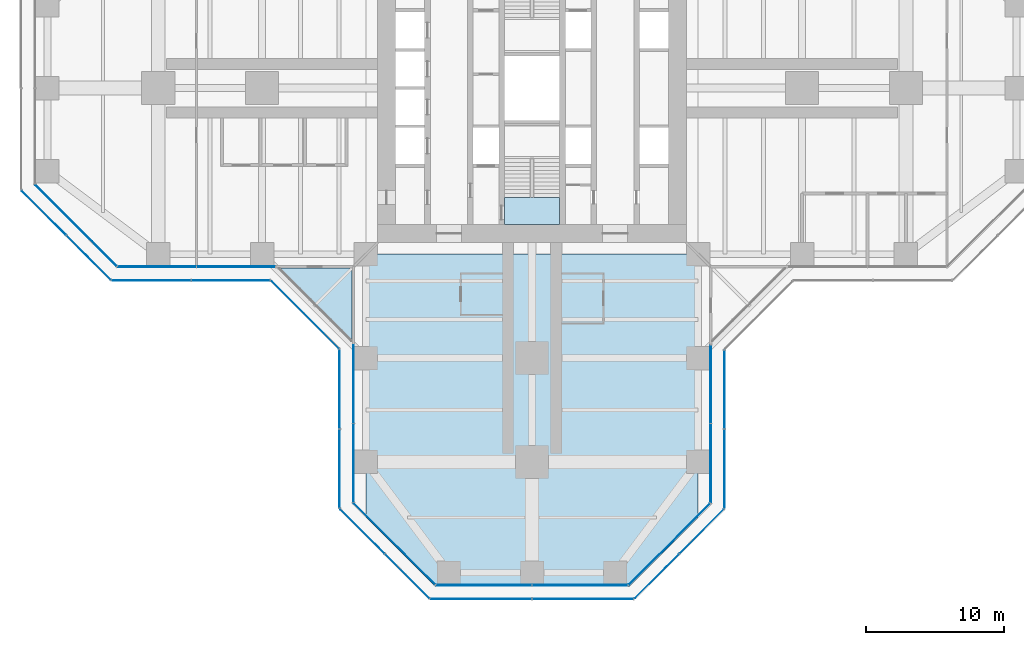
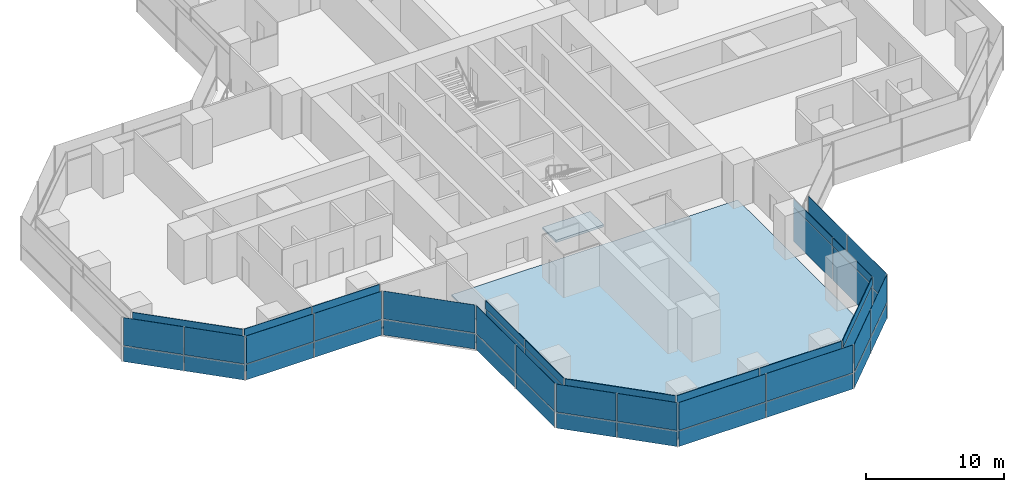
# One storey, part 14 of 22: 52 plates, 3 slabs, 16 elements without a shape of their own.
"""IFC4 building model written with IfcOpenShell, lengths in metres."""

from ifc_helpers import new_model, si_unit, direction, frame, origin, origin_2d, place, context, subcontext, project, spatial, polyline, rectangle, outline, extrude, material, layer, layer_set, type_object, element, aggregate, save


model = new_model("IFC4")

# Units and contexts
model_context = context("Model", 3, precision=1e-05, world=origin(), true_north=direction((0.0, 1.0)))
body_context = subcontext(model_context, "Body", "Model", "MODEL_VIEW")
ifc_project = project(units=[si_unit("LENGTHUNIT", "METRE"), si_unit("AREAUNIT", "SQUARE_METRE"), si_unit("VOLUMEUNIT", "CUBIC_METRE"), si_unit("PLANEANGLEUNIT", "RADIAN"), si_unit("MASSUNIT", "GRAM", prefix="KILO")], contexts=[model_context])

# Site, building, storey
site_placement = place(None, origin())
site = spatial("IfcSite", under=ifc_project, at=site_placement, CompositionType="ELEMENT")
building_placement = place(site_placement, origin())
building = spatial("IfcBuilding", under=site, at=building_placement, Name="Mizan Broadcast Tower", CompositionType="ELEMENT")
storey_placement = place(building_placement, frame((0.0, 0.0, 51.300048828125)))
storey = spatial("IfcBuildingStorey", under=building, at=storey_placement, Name="L09", CompositionType="ELEMENT", Elevation=51.300048828125)

# Slab
ifc_material_1 = material(Name="Concrete C32/40", Category="concrete")
ifc_layer_1 = layer(ifc_material_1, 0.1298828125)
ifc_layer_set_1 = layer_set([ifc_layer_1], Name="Concrete C32/40")
slab_type_1 = type_object("IfcSlabType", Name="COMPOSITE DECK SLAB 130", PredefinedType="FLOOR", material=ifc_layer_set_1)
slab_1_placement = place(storey_placement, frame((0.0, 0.0, -0.130126953125)))
element("IfcSlab", 1, at=slab_1_placement, inside=storey, type_object=slab_type_1, Name="Floor slab L09 south arm", PredefinedType="FLOOR", context=body_context, shape_type="SweptSolid", body=[
    extrude(outline(polyline([(7.0, -36.0), (12.0, -31.0), (12.0, -12.0), (-12.0, -12.0), (-12.0, -31.0), (-7.0, -36.0), (7.0, -36.0)])), origin(), (0.0, 0.0, 1.0), 0.130126953125),
])

# Curtain wall, plate
ifc_material_2 = material(Name="Aluminium framed glazing", Category="aluminium")
curtain_wall_type_1 = type_object("IfcCurtainWallType", Name="INNER SKIN LOW ZONE", PredefinedType="USERDEFINED", material=ifc_material_2)
curtain_wall_1_placement = place(storey_placement, origin())
curtain_wall_1 = element("IfcCurtainWall", 2, at=curtain_wall_1_placement, inside=storey, type_object=curtain_wall_type_1, Name="Inner skin low zone L09 W chamfer", ObjectType="INNER SKIN LOW ZONE", PredefinedType="USERDEFINED")
ifc_material_3 = material(Name="Double glazing, clear low-e", Category="glass")
ifc_layer_2 = layer(ifc_material_3, 0.028076171875)
ifc_layer_set_2 = layer_set([ifc_layer_2], Name="Double glazing, clear low-e")
plate_type_1 = type_object("IfcPlateType", Name="INNER SKIN GLAZING UNIT", PredefinedType="CURTAIN_PANEL", material=ifc_layer_set_2)
plate_1_placement = place(storey_placement, frame((-32.92919921875, -9.92919921875, 0.0), z_axis=(0.0, 0.0, 1.0), x_axis=(0.707106781187, -0.707106781187, 0.0)))
plate_1 = element("IfcPlate", 3, at=plate_1_placement, type_object=plate_type_1, Name="Inner skin low zone L09 W chamfer panel 1.1", PredefinedType="CURTAIN_PANEL", context=body_context, shape_type="SweptSolid", body=[
    extrude(rectangle(XDim=8.282470703125, YDim=0.028076171875, at=origin_2d()), origin(), (0.0, 0.0, 1.0), 3.0),
])

# Curtain wall, plates
curtain_wall_2_placement = place(storey_placement, origin())
curtain_wall_2 = element("IfcCurtainWall", 4, at=curtain_wall_2_placement, inside=storey, type_object=curtain_wall_type_1, Name="Inner skin low zone L09 W side", ObjectType="INNER SKIN LOW ZONE", PredefinedType="USERDEFINED")
plate_2_placement = place(storey_placement, frame((-27.078857421875, -12.89990234375, 0.0), z_axis=(0.0, 0.0, 1.0), x_axis=(1.0, 0.0, 0.0)))
plate_2 = element("IfcPlate", 5, at=plate_2_placement, type_object=plate_type_1, Name="Inner skin low zone L09 W side panel 1.1", PredefinedType="CURTAIN_PANEL", context=body_context, shape_type="SweptSolid", body=[
    extrude(rectangle(XDim=5.639404296875, YDim=0.028076171875, at=origin_2d()), origin(), (0.0, 0.0, 1.0), 3.0),
])
plate_3_placement = place(storey_placement, frame((-21.379638671875, -12.89990234375, 0.0), z_axis=(0.0, 0.0, 1.0), x_axis=(1.0, 0.0, 0.0)))
plate_3 = element("IfcPlate", 6, at=plate_3_placement, type_object=plate_type_1, Name="Inner skin low zone L09 W side panel 2.1", PredefinedType="CURTAIN_PANEL", context=body_context, shape_type="SweptSolid", body=[
    extrude(rectangle(XDim=5.639404296875, YDim=0.028076171875, at=origin_2d()), origin(), (0.0, 0.0, 1.0), 3.0),
])

curtain_wall_3_placement = place(storey_placement, origin())
curtain_wall_3 = element("IfcCurtainWall", 7, at=curtain_wall_3_placement, inside=storey, type_object=curtain_wall_type_1, Name="Inner skin low zone L09 S side", ObjectType="INNER SKIN LOW ZONE", PredefinedType="USERDEFINED")
plate_4_placement = place(storey_placement, frame((-12.89990234375, -21.379638671875, 0.0), z_axis=(0.0, 0.0, 1.0), x_axis=(0.0, -1.0, 0.0)))
plate_4 = element("IfcPlate", 8, at=plate_4_placement, type_object=plate_type_1, Name="Inner skin low zone L09 S side panel 1.1", PredefinedType="CURTAIN_PANEL", context=body_context, shape_type="SweptSolid", body=[
    extrude(rectangle(XDim=5.639404296875, YDim=0.028076171875, at=origin_2d()), origin(), (0.0, 0.0, 1.0), 3.0),
])
plate_5_placement = place(storey_placement, frame((-12.89990234375, -27.078857421875, 0.0), z_axis=(0.0, 0.0, 1.0), x_axis=(0.0, -1.0, 0.0)))
plate_5 = element("IfcPlate", 9, at=plate_5_placement, type_object=plate_type_1, Name="Inner skin low zone L09 S side panel 2.1", PredefinedType="CURTAIN_PANEL", context=body_context, shape_type="SweptSolid", body=[
    extrude(rectangle(XDim=5.639404296875, YDim=0.028076171875, at=origin_2d()), origin(), (0.0, 0.0, 1.0), 3.0),
])

# Curtain wall, plate
curtain_wall_4_placement = place(storey_placement, origin())
curtain_wall_4 = element("IfcCurtainWall", 10, at=curtain_wall_4_placement, inside=storey, type_object=curtain_wall_type_1, Name="Inner skin low zone L09 S chamfer", ObjectType="INNER SKIN LOW ZONE", PredefinedType="USERDEFINED")
plate_6_placement = place(storey_placement, frame((-9.92919921875, -32.92919921875, 0.0), z_axis=(0.0, 0.0, 1.0), x_axis=(0.707106781187, -0.707106781187, 0.0)))
plate_6 = element("IfcPlate", 11, at=plate_6_placement, type_object=plate_type_1, Name="Inner skin low zone L09 S chamfer panel 1.1", PredefinedType="CURTAIN_PANEL", context=body_context, shape_type="SweptSolid", body=[
    extrude(rectangle(XDim=8.282470703125, YDim=0.028076171875, at=origin_2d()), origin(), (0.0, 0.0, 1.0), 3.0),
])

# Curtain wall, plates
curtain_wall_5_placement = place(storey_placement, origin())
curtain_wall_5 = element("IfcCurtainWall", 12, at=curtain_wall_5_placement, inside=storey, type_object=curtain_wall_type_1, Name="Inner skin low zone L09 S end", ObjectType="INNER SKIN LOW ZONE", PredefinedType="USERDEFINED")
plate_7_placement = place(storey_placement, frame((-3.46435546875, -35.89990234375, 0.0), z_axis=(0.0, 0.0, 1.0), x_axis=(1.0, 0.0, 0.0)))
plate_7 = element("IfcPlate", 13, at=plate_7_placement, type_object=plate_type_1, Name="Inner skin low zone L09 S end panel 1.1", PredefinedType="CURTAIN_PANEL", context=body_context, shape_type="SweptSolid", body=[
    extrude(rectangle(XDim=6.86865234375, YDim=0.028076171875, at=origin_2d()), origin(), (0.0, 0.0, 1.0), 3.0),
])
plate_8_placement = place(storey_placement, frame((3.46435546875, -35.89990234375, 0.0), z_axis=(0.0, 0.0, 1.0), x_axis=(1.0, 0.0, 0.0)))
plate_8 = element("IfcPlate", 14, at=plate_8_placement, type_object=plate_type_1, Name="Inner skin low zone L09 S end panel 2.1", PredefinedType="CURTAIN_PANEL", context=body_context, shape_type="SweptSolid", body=[
    extrude(rectangle(XDim=6.86865234375, YDim=0.028076171875, at=origin_2d()), origin(), (0.0, 0.0, 1.0), 3.0),
])

# Curtain wall, plate
curtain_wall_6_placement = place(storey_placement, origin())
curtain_wall_6 = element("IfcCurtainWall", 15, at=curtain_wall_6_placement, inside=storey, type_object=curtain_wall_type_1, Name="Inner skin low zone L09 S chamfer", ObjectType="INNER SKIN LOW ZONE", PredefinedType="USERDEFINED")
plate_9_placement = place(storey_placement, frame((9.92919921875, -32.92919921875, 0.0), z_axis=(0.0, 0.0, 1.0), x_axis=(0.707106781187, 0.707106781187, 0.0)))
plate_9 = element("IfcPlate", 16, at=plate_9_placement, type_object=plate_type_1, Name="Inner skin low zone L09 S chamfer panel 1.1", PredefinedType="CURTAIN_PANEL", context=body_context, shape_type="SweptSolid", body=[
    extrude(rectangle(XDim=8.282470703125, YDim=0.028076171875, at=origin_2d()), origin(), (0.0, 0.0, 1.0), 3.0),
])

# Curtain wall, plates
curtain_wall_7_placement = place(storey_placement, origin())
curtain_wall_7 = element("IfcCurtainWall", 17, at=curtain_wall_7_placement, inside=storey, type_object=curtain_wall_type_1, Name="Inner skin low zone L09 S side", ObjectType="INNER SKIN LOW ZONE", PredefinedType="USERDEFINED")
plate_10_placement = place(storey_placement, frame((12.89990234375, -27.078857421875, 0.0), z_axis=(0.0, 0.0, 1.0), x_axis=(0.0, 1.0, 0.0)))
plate_10 = element("IfcPlate", 18, at=plate_10_placement, type_object=plate_type_1, Name="Inner skin low zone L09 S side panel 1.1", PredefinedType="CURTAIN_PANEL", context=body_context, shape_type="SweptSolid", body=[
    extrude(rectangle(XDim=5.639404296875, YDim=0.028076171875, at=origin_2d()), origin(), (0.0, 0.0, 1.0), 3.0),
])
plate_11_placement = place(storey_placement, frame((12.89990234375, -21.379638671875, 0.0), z_axis=(0.0, 0.0, 1.0), x_axis=(0.0, 1.0, 0.0)))
plate_11 = element("IfcPlate", 19, at=plate_11_placement, type_object=plate_type_1, Name="Inner skin low zone L09 S side panel 2.1", PredefinedType="CURTAIN_PANEL", context=body_context, shape_type="SweptSolid", body=[
    extrude(rectangle(XDim=5.639404296875, YDim=0.028076171875, at=origin_2d()), origin(), (0.0, 0.0, 1.0), 3.0),
])

# Plate
ifc_material_4 = material(Name="Insulated aluminium spandrel panel, pale anodised", Category="aluminium")
ifc_layer_3 = layer(ifc_material_4, 0.050048828125)
ifc_layer_set_3 = layer_set([ifc_layer_3], Name="Insulated aluminium spandrel panel, pale anodised")
plate_type_2 = type_object("IfcPlateType", Name="INNER SKIN SPANDREL PANEL", PredefinedType="CURTAIN_PANEL", material=ifc_layer_set_3)
plate_12_placement = place(storey_placement, frame((-32.92919921875, -9.92919921875, 3.06005859375), z_axis=(0.0, 0.0, 1.0), x_axis=(0.707106781187, -0.707106781187, 0.0)))
plate_12 = element("IfcPlate", 20, at=plate_12_placement, type_object=plate_type_2, Name="Inner skin low zone L09 W chamfer panel 1.2", PredefinedType="CURTAIN_PANEL", context=body_context, shape_type="SweptSolid", body=[
    extrude(rectangle(XDim=8.282470703125, YDim=0.050048828125, at=origin_2d()), origin(), (0.0, 0.0, 1.0), 0.7099609375),
])

aggregate(curtain_wall_1, [plate_1, plate_12])

plate_13_placement = place(storey_placement, frame((-27.078857421875, -12.89990234375, 3.06005859375), z_axis=(0.0, 0.0, 1.0), x_axis=(1.0, 0.0, 0.0)))
plate_13 = element("IfcPlate", 21, at=plate_13_placement, type_object=plate_type_2, Name="Inner skin low zone L09 W side panel 1.2", PredefinedType="CURTAIN_PANEL", context=body_context, shape_type="SweptSolid", body=[
    extrude(rectangle(XDim=5.639404296875, YDim=0.050048828125, at=origin_2d()), origin(), (0.0, 0.0, 1.0), 0.7099609375),
])

plate_14_placement = place(storey_placement, frame((-21.379638671875, -12.89990234375, 3.06005859375), z_axis=(0.0, 0.0, 1.0), x_axis=(1.0, 0.0, 0.0)))
plate_14 = element("IfcPlate", 22, at=plate_14_placement, type_object=plate_type_2, Name="Inner skin low zone L09 W side panel 2.2", PredefinedType="CURTAIN_PANEL", context=body_context, shape_type="SweptSolid", body=[
    extrude(rectangle(XDim=5.639404296875, YDim=0.050048828125, at=origin_2d()), origin(), (0.0, 0.0, 1.0), 0.7099609375),
])

aggregate(curtain_wall_2, [plate_2, plate_13, plate_3, plate_14])

plate_15_placement = place(storey_placement, frame((-12.89990234375, -21.379638671875, 3.06005859375), z_axis=(0.0, 0.0, 1.0), x_axis=(0.0, -1.0, 0.0)))
plate_15 = element("IfcPlate", 23, at=plate_15_placement, type_object=plate_type_2, Name="Inner skin low zone L09 S side panel 1.2", PredefinedType="CURTAIN_PANEL", context=body_context, shape_type="SweptSolid", body=[
    extrude(rectangle(XDim=5.639404296875, YDim=0.050048828125, at=origin_2d()), origin(), (0.0, 0.0, 1.0), 0.7099609375),
])

plate_16_placement = place(storey_placement, frame((-12.89990234375, -27.078857421875, 3.06005859375), z_axis=(0.0, 0.0, 1.0), x_axis=(0.0, -1.0, 0.0)))
plate_16 = element("IfcPlate", 24, at=plate_16_placement, type_object=plate_type_2, Name="Inner skin low zone L09 S side panel 2.2", PredefinedType="CURTAIN_PANEL", context=body_context, shape_type="SweptSolid", body=[
    extrude(rectangle(XDim=5.639404296875, YDim=0.050048828125, at=origin_2d()), origin(), (0.0, 0.0, 1.0), 0.7099609375),
])

aggregate(curtain_wall_3, [plate_4, plate_15, plate_5, plate_16])

plate_17_placement = place(storey_placement, frame((-9.92919921875, -32.92919921875, 3.06005859375), z_axis=(0.0, 0.0, 1.0), x_axis=(0.707106781187, -0.707106781187, 0.0)))
plate_17 = element("IfcPlate", 25, at=plate_17_placement, type_object=plate_type_2, Name="Inner skin low zone L09 S chamfer panel 1.2", PredefinedType="CURTAIN_PANEL", context=body_context, shape_type="SweptSolid", body=[
    extrude(rectangle(XDim=8.282470703125, YDim=0.050048828125, at=origin_2d()), origin(), (0.0, 0.0, 1.0), 0.7099609375),
])

aggregate(curtain_wall_4, [plate_6, plate_17])

plate_18_placement = place(storey_placement, frame((-3.46435546875, -35.89990234375, 3.06005859375), z_axis=(0.0, 0.0, 1.0), x_axis=(1.0, 0.0, 0.0)))
plate_18 = element("IfcPlate", 26, at=plate_18_placement, type_object=plate_type_2, Name="Inner skin low zone L09 S end panel 1.2", PredefinedType="CURTAIN_PANEL", context=body_context, shape_type="SweptSolid", body=[
    extrude(rectangle(XDim=6.86865234375, YDim=0.050048828125, at=origin_2d()), origin(), (0.0, 0.0, 1.0), 0.7099609375),
])

plate_19_placement = place(storey_placement, frame((3.46435546875, -35.89990234375, 3.06005859375), z_axis=(0.0, 0.0, 1.0), x_axis=(1.0, 0.0, 0.0)))
plate_19 = element("IfcPlate", 27, at=plate_19_placement, type_object=plate_type_2, Name="Inner skin low zone L09 S end panel 2.2", PredefinedType="CURTAIN_PANEL", context=body_context, shape_type="SweptSolid", body=[
    extrude(rectangle(XDim=6.86865234375, YDim=0.050048828125, at=origin_2d()), origin(), (0.0, 0.0, 1.0), 0.7099609375),
])

aggregate(curtain_wall_5, [plate_7, plate_18, plate_8, plate_19])

plate_20_placement = place(storey_placement, frame((9.92919921875, -32.92919921875, 3.06005859375), z_axis=(0.0, 0.0, 1.0), x_axis=(0.707106781187, 0.707106781187, 0.0)))
plate_20 = element("IfcPlate", 28, at=plate_20_placement, type_object=plate_type_2, Name="Inner skin low zone L09 S chamfer panel 1.2", PredefinedType="CURTAIN_PANEL", context=body_context, shape_type="SweptSolid", body=[
    extrude(rectangle(XDim=8.282470703125, YDim=0.050048828125, at=origin_2d()), origin(), (0.0, 0.0, 1.0), 0.7099609375),
])

aggregate(curtain_wall_6, [plate_9, plate_20])

plate_21_placement = place(storey_placement, frame((12.89990234375, -27.078857421875, 3.06005859375), z_axis=(0.0, 0.0, 1.0), x_axis=(0.0, 1.0, 0.0)))
plate_21 = element("IfcPlate", 29, at=plate_21_placement, type_object=plate_type_2, Name="Inner skin low zone L09 S side panel 1.2", PredefinedType="CURTAIN_PANEL", context=body_context, shape_type="SweptSolid", body=[
    extrude(rectangle(XDim=5.639404296875, YDim=0.050048828125, at=origin_2d()), origin(), (0.0, 0.0, 1.0), 0.7099609375),
])

plate_22_placement = place(storey_placement, frame((12.89990234375, -21.379638671875, 3.06005859375), z_axis=(0.0, 0.0, 1.0), x_axis=(0.0, 1.0, 0.0)))
plate_22 = element("IfcPlate", 30, at=plate_22_placement, type_object=plate_type_2, Name="Inner skin low zone L09 S side panel 2.2", PredefinedType="CURTAIN_PANEL", context=body_context, shape_type="SweptSolid", body=[
    extrude(rectangle(XDim=5.639404296875, YDim=0.050048828125, at=origin_2d()), origin(), (0.0, 0.0, 1.0), 0.7099609375),
])

aggregate(curtain_wall_7, [plate_10, plate_21, plate_11, plate_22])

# Curtain wall, plates
ifc_material_5 = material(Name="Aluminium framed glazing", Category="aluminium")
curtain_wall_type_2 = type_object("IfcCurtainWallType", Name="OUTER SKIN", PredefinedType="USERDEFINED", material=ifc_material_5)
curtain_wall_8_placement = place(storey_placement, origin())
curtain_wall_8 = element("IfcCurtainWall", 31, at=curtain_wall_8_placement, inside=storey, type_object=curtain_wall_type_2, Name="Outer skin L09 W chamfer", ObjectType="OUTER SKIN", PredefinedType="USERDEFINED")
ifc_material_6 = material(Name="Laminated clear glass", Category="glass")
ifc_layer_4 = layer(ifc_material_6, 0.02001953125)
ifc_layer_set_4 = layer_set([ifc_layer_4], Name="Laminated clear glass")
plate_type_3 = type_object("IfcPlateType", Name="OUTER SKIN CLEAR GLASS", PredefinedType="CURTAIN_PANEL", material=ifc_layer_set_4)
plate_23_placement = place(storey_placement, frame((-35.254150390625, -9.018798828125, 0.0), z_axis=(0.0, 0.0, 1.0), x_axis=(0.707106781187, -0.707106781187, 0.0)))
plate_23 = element("IfcPlate", 32, at=plate_23_placement, type_object=plate_type_3, Name="Outer skin L09 W chamfer panel 1.1", PredefinedType="CURTAIN_PANEL", context=body_context, shape_type="SweptSolid", body=[
    extrude(rectangle(XDim=4.495361328125, YDim=0.02001953125, at=origin_2d()), origin(), (0.0, 0.0, 1.0), 1.3701171875),
])
plate_24_placement = place(storey_placement, frame((-35.254150390625, -9.018798828125, 1.43017578125), z_axis=(0.0, 0.0, 1.0), x_axis=(0.707106781187, -0.707106781187, 0.0)))
plate_24 = element("IfcPlate", 33, at=plate_24_placement, type_object=plate_type_3, Name="Outer skin L09 W chamfer panel 1.2", PredefinedType="CURTAIN_PANEL", context=body_context, shape_type="SweptSolid", body=[
    extrude(rectangle(XDim=4.495361328125, YDim=0.02001953125, at=origin_2d()), origin(), (0.0, 0.0, 1.0), 2.469970703125),
])

curtain_wall_9_placement = place(storey_placement, origin())
curtain_wall_9 = element("IfcCurtainWall", 34, at=curtain_wall_9_placement, inside=storey, type_object=curtain_wall_type_2, Name="Outer skin L09 W side", ObjectType="OUTER SKIN", PredefinedType="USERDEFINED")
plate_25_placement = place(storey_placement, frame((-27.477783203125, -13.89990234375, 0.0), z_axis=(0.0, 0.0, 1.0), x_axis=(1.0, 0.0, 0.0)))
plate_25 = element("IfcPlate", 35, at=plate_25_placement, type_object=plate_type_3, Name="Outer skin L09 W side panel 1.1", PredefinedType="CURTAIN_PANEL", context=body_context, shape_type="SweptSolid", body=[
    extrude(rectangle(XDim=5.6298828125, YDim=0.02001953125, at=origin_2d()), origin(), (0.0, 0.0, 1.0), 1.3701171875),
])
plate_26_placement = place(storey_placement, frame((-27.477783203125, -13.89990234375, 1.43017578125), z_axis=(0.0, 0.0, 1.0), x_axis=(1.0, 0.0, 0.0)))
plate_26 = element("IfcPlate", 36, at=plate_26_placement, type_object=plate_type_3, Name="Outer skin L09 W side panel 1.2", PredefinedType="CURTAIN_PANEL", context=body_context, shape_type="SweptSolid", body=[
    extrude(rectangle(XDim=5.6298828125, YDim=0.02001953125, at=origin_2d()), origin(), (0.0, 0.0, 1.0), 2.469970703125),
])

curtain_wall_10_placement = place(storey_placement, origin())
curtain_wall_10 = element("IfcCurtainWall", 37, at=curtain_wall_10_placement, inside=storey, type_object=curtain_wall_type_2, Name="Outer skin L09 W chamfer", ObjectType="OUTER SKIN", PredefinedType="USERDEFINED")
plate_27_placement = place(storey_placement, frame((-16.386474609375, -16.386474609375, 0.0), z_axis=(0.0, 0.0, 1.0), x_axis=(0.707106781187, -0.707106781187, 0.0)))
plate_27 = element("IfcPlate", 38, at=plate_27_placement, type_object=plate_type_3, Name="Outer skin L09 W chamfer panel 1.1", PredefinedType="CURTAIN_PANEL", context=body_context, shape_type="SweptSolid", body=[
    extrude(rectangle(XDim=6.87255859375, YDim=0.02001953125, at=origin_2d()), origin(), (0.0, 0.0, 1.0), 1.3701171875),
])
plate_28_placement = place(storey_placement, frame((-16.386474609375, -16.386474609375, 1.43017578125), z_axis=(0.0, 0.0, 1.0), x_axis=(0.707106781187, -0.707106781187, 0.0)))
plate_28 = element("IfcPlate", 39, at=plate_28_placement, type_object=plate_type_3, Name="Outer skin L09 W chamfer panel 1.2", PredefinedType="CURTAIN_PANEL", context=body_context, shape_type="SweptSolid", body=[
    extrude(rectangle(XDim=6.87255859375, YDim=0.02001953125, at=origin_2d()), origin(), (0.0, 0.0, 1.0), 2.469970703125),
])
aggregate(curtain_wall_10, [plate_27, plate_28])

curtain_wall_11_placement = place(storey_placement, origin())
curtain_wall_11 = element("IfcCurtainWall", 40, at=curtain_wall_11_placement, inside=storey, type_object=curtain_wall_type_2, Name="Outer skin L09 S side", ObjectType="OUTER SKIN", PredefinedType="USERDEFINED")
plate_29_placement = place(storey_placement, frame((-13.89990234375, -21.767822265625, 0.0), z_axis=(0.0, 0.0, 1.0), x_axis=(0.0, -1.0, 0.0)))
plate_29 = element("IfcPlate", 41, at=plate_29_placement, type_object=plate_type_3, Name="Outer skin L09 S side panel 1.1", PredefinedType="CURTAIN_PANEL", context=body_context, shape_type="SweptSolid", body=[
    extrude(rectangle(XDim=5.6298828125, YDim=0.02001953125, at=origin_2d()), origin(), (0.0, 0.0, 1.0), 1.3701171875),
])
plate_30_placement = place(storey_placement, frame((-13.89990234375, -21.767822265625, 1.43017578125), z_axis=(0.0, 0.0, 1.0), x_axis=(0.0, -1.0, 0.0)))
plate_30 = element("IfcPlate", 42, at=plate_30_placement, type_object=plate_type_3, Name="Outer skin L09 S side panel 1.2", PredefinedType="CURTAIN_PANEL", context=body_context, shape_type="SweptSolid", body=[
    extrude(rectangle(XDim=5.6298828125, YDim=0.02001953125, at=origin_2d()), origin(), (0.0, 0.0, 1.0), 2.469970703125),
])

curtain_wall_12_placement = place(storey_placement, origin())
curtain_wall_12 = element("IfcCurtainWall", 43, at=curtain_wall_12_placement, inside=storey, type_object=curtain_wall_type_2, Name="Outer skin L09 S chamfer", ObjectType="OUTER SKIN", PredefinedType="USERDEFINED")
plate_31_placement = place(storey_placement, frame((-12.254150390625, -32.018798828125, 0.0), z_axis=(0.0, 0.0, 1.0), x_axis=(0.707106781187, -0.707106781187, 0.0)))
plate_31 = element("IfcPlate", 44, at=plate_31_placement, type_object=plate_type_3, Name="Outer skin L09 S chamfer panel 1.1", PredefinedType="CURTAIN_PANEL", context=body_context, shape_type="SweptSolid", body=[
    extrude(rectangle(XDim=4.495361328125, YDim=0.02001953125, at=origin_2d()), origin(), (0.0, 0.0, 1.0), 1.3701171875),
])
plate_32_placement = place(storey_placement, frame((-12.254150390625, -32.018798828125, 1.43017578125), z_axis=(0.0, 0.0, 1.0), x_axis=(0.707106781187, -0.707106781187, 0.0)))
plate_32 = element("IfcPlate", 45, at=plate_32_placement, type_object=plate_type_3, Name="Outer skin L09 S chamfer panel 1.2", PredefinedType="CURTAIN_PANEL", context=body_context, shape_type="SweptSolid", body=[
    extrude(rectangle(XDim=4.495361328125, YDim=0.02001953125, at=origin_2d()), origin(), (0.0, 0.0, 1.0), 2.469970703125),
])

curtain_wall_13_placement = place(storey_placement, origin())
curtain_wall_13 = element("IfcCurtainWall", 46, at=curtain_wall_13_placement, inside=storey, type_object=curtain_wall_type_2, Name="Outer skin L09 S end", ObjectType="OUTER SKIN", PredefinedType="USERDEFINED")
plate_33_placement = place(storey_placement, frame((-3.66650390625, -36.89990234375, 0.0), z_axis=(0.0, 0.0, 1.0), x_axis=(1.0, 0.0, 0.0)))
plate_33 = element("IfcPlate", 47, at=plate_33_placement, type_object=plate_type_3, Name="Outer skin L09 S end panel 1.1", PredefinedType="CURTAIN_PANEL", context=body_context, shape_type="SweptSolid", body=[
    extrude(rectangle(XDim=7.252685546875, YDim=0.02001953125, at=origin_2d()), origin(), (0.0, 0.0, 1.0), 1.3701171875),
])
plate_34_placement = place(storey_placement, frame((-3.66650390625, -36.89990234375, 1.43017578125), z_axis=(0.0, 0.0, 1.0), x_axis=(1.0, 0.0, 0.0)))
plate_34 = element("IfcPlate", 48, at=plate_34_placement, type_object=plate_type_3, Name="Outer skin L09 S end panel 1.2", PredefinedType="CURTAIN_PANEL", context=body_context, shape_type="SweptSolid", body=[
    extrude(rectangle(XDim=7.252685546875, YDim=0.02001953125, at=origin_2d()), origin(), (0.0, 0.0, 1.0), 2.469970703125),
])

curtain_wall_14_placement = place(storey_placement, origin())
curtain_wall_14 = element("IfcCurtainWall", 49, at=curtain_wall_14_placement, inside=storey, type_object=curtain_wall_type_2, Name="Outer skin L09 S chamfer", ObjectType="OUTER SKIN", PredefinedType="USERDEFINED")
plate_35_placement = place(storey_placement, frame((9.018798828125, -35.254150390625, 0.0), z_axis=(0.0, 0.0, 1.0), x_axis=(0.707106781187, 0.707106781187, 0.0)))
plate_35 = element("IfcPlate", 50, at=plate_35_placement, type_object=plate_type_3, Name="Outer skin L09 S chamfer panel 1.1", PredefinedType="CURTAIN_PANEL", context=body_context, shape_type="SweptSolid", body=[
    extrude(rectangle(XDim=4.495361328125, YDim=0.02001953125, at=origin_2d()), origin(), (0.0, 0.0, 1.0), 1.3701171875),
])
plate_36_placement = place(storey_placement, frame((9.018798828125, -35.254150390625, 1.43017578125), z_axis=(0.0, 0.0, 1.0), x_axis=(0.707106781187, 0.707106781187, 0.0)))
plate_36 = element("IfcPlate", 51, at=plate_36_placement, type_object=plate_type_3, Name="Outer skin L09 S chamfer panel 1.2", PredefinedType="CURTAIN_PANEL", context=body_context, shape_type="SweptSolid", body=[
    extrude(rectangle(XDim=4.495361328125, YDim=0.02001953125, at=origin_2d()), origin(), (0.0, 0.0, 1.0), 2.469970703125),
])

curtain_wall_15_placement = place(storey_placement, origin())
curtain_wall_15 = element("IfcCurtainWall", 52, at=curtain_wall_15_placement, inside=storey, type_object=curtain_wall_type_2, Name="Outer skin L09 S side", ObjectType="OUTER SKIN", PredefinedType="USERDEFINED")
plate_37_placement = place(storey_placement, frame((13.89990234375, -27.477783203125, 0.0), z_axis=(0.0, 0.0, 1.0), x_axis=(0.0, 1.0, 0.0)))
plate_37 = element("IfcPlate", 53, at=plate_37_placement, type_object=plate_type_3, Name="Outer skin L09 S side panel 1.1", PredefinedType="CURTAIN_PANEL", context=body_context, shape_type="SweptSolid", body=[
    extrude(rectangle(XDim=5.6298828125, YDim=0.02001953125, at=origin_2d()), origin(), (0.0, 0.0, 1.0), 1.3701171875),
])
plate_38_placement = place(storey_placement, frame((13.89990234375, -27.477783203125, 1.43017578125), z_axis=(0.0, 0.0, 1.0), x_axis=(0.0, 1.0, 0.0)))
plate_38 = element("IfcPlate", 54, at=plate_38_placement, type_object=plate_type_3, Name="Outer skin L09 S side panel 1.2", PredefinedType="CURTAIN_PANEL", context=body_context, shape_type="SweptSolid", body=[
    extrude(rectangle(XDim=5.6298828125, YDim=0.02001953125, at=origin_2d()), origin(), (0.0, 0.0, 1.0), 2.469970703125),
])

# Plate
ifc_material_7 = material(Name="Perforated aluminium, pale anodised", Category="aluminium")
ifc_layer_5 = layer(ifc_material_7, 0.011962890625)
ifc_layer_set_5 = layer_set([ifc_layer_5], Name="Perforated aluminium, pale anodised")
plate_type_4 = type_object("IfcPlateType", Name="OUTER SKIN PERFORATED SCREEN", PredefinedType="USERDEFINED", material=ifc_layer_set_5)
plate_39_placement = place(storey_placement, frame((-32.018798828125, -12.254150390625, 0.0), z_axis=(0.0, 0.0, 1.0), x_axis=(0.707106781187, -0.707106781187, 0.0)))
plate_39 = element("IfcPlate", 55, at=plate_39_placement, type_object=plate_type_4, Name="Outer skin L09 W chamfer panel 2.1", ObjectType="SCREEN", PredefinedType="USERDEFINED", context=body_context, shape_type="SweptSolid", body=[
    extrude(rectangle(XDim=4.495361328125, YDim=0.011962890625, at=origin_2d()), origin(), (0.0, 0.0, 1.0), 1.3701171875),
])

plate_40_placement = place(storey_placement, frame((-32.018798828125, -12.254150390625, 1.43017578125), z_axis=(0.0, 0.0, 1.0), x_axis=(0.707106781187, -0.707106781187, 0.0)))
plate_40 = element("IfcPlate", 56, at=plate_40_placement, type_object=plate_type_4, Name="Outer skin L09 W chamfer panel 2.2", ObjectType="SCREEN", PredefinedType="USERDEFINED", context=body_context, shape_type="SweptSolid", body=[
    extrude(rectangle(XDim=4.495361328125, YDim=0.011962890625, at=origin_2d()), origin(), (0.0, 0.0, 1.0), 2.469970703125),
])

aggregate(curtain_wall_8, [plate_23, plate_24, plate_39, plate_40])

plate_41_placement = place(storey_placement, frame((-21.767822265625, -13.89990234375, 0.0), z_axis=(0.0, 0.0, 1.0), x_axis=(1.0, 0.0, 0.0)))
plate_41 = element("IfcPlate", 57, at=plate_41_placement, type_object=plate_type_4, Name="Outer skin L09 W side panel 2.1", ObjectType="SCREEN", PredefinedType="USERDEFINED", context=body_context, shape_type="SweptSolid", body=[
    extrude(rectangle(XDim=5.6298828125, YDim=0.011962890625, at=origin_2d()), origin(), (0.0, 0.0, 1.0), 1.3701171875),
])

plate_42_placement = place(storey_placement, frame((-21.767822265625, -13.89990234375, 1.43017578125), z_axis=(0.0, 0.0, 1.0), x_axis=(1.0, 0.0, 0.0)))
plate_42 = element("IfcPlate", 58, at=plate_42_placement, type_object=plate_type_4, Name="Outer skin L09 W side panel 2.2", ObjectType="SCREEN", PredefinedType="USERDEFINED", context=body_context, shape_type="SweptSolid", body=[
    extrude(rectangle(XDim=5.6298828125, YDim=0.011962890625, at=origin_2d()), origin(), (0.0, 0.0, 1.0), 2.469970703125),
])

aggregate(curtain_wall_9, [plate_25, plate_26, plate_41, plate_42])

plate_43_placement = place(storey_placement, frame((-13.89990234375, -27.477783203125, 0.0), z_axis=(0.0, 0.0, 1.0), x_axis=(0.0, -1.0, 0.0)))
plate_43 = element("IfcPlate", 59, at=plate_43_placement, type_object=plate_type_4, Name="Outer skin L09 S side panel 2.1", ObjectType="SCREEN", PredefinedType="USERDEFINED", context=body_context, shape_type="SweptSolid", body=[
    extrude(rectangle(XDim=5.6298828125, YDim=0.011962890625, at=origin_2d()), origin(), (0.0, 0.0, 1.0), 1.3701171875),
])

plate_44_placement = place(storey_placement, frame((-13.89990234375, -27.477783203125, 1.43017578125), z_axis=(0.0, 0.0, 1.0), x_axis=(0.0, -1.0, 0.0)))
plate_44 = element("IfcPlate", 60, at=plate_44_placement, type_object=plate_type_4, Name="Outer skin L09 S side panel 2.2", ObjectType="SCREEN", PredefinedType="USERDEFINED", context=body_context, shape_type="SweptSolid", body=[
    extrude(rectangle(XDim=5.6298828125, YDim=0.011962890625, at=origin_2d()), origin(), (0.0, 0.0, 1.0), 2.469970703125),
])

aggregate(curtain_wall_11, [plate_29, plate_30, plate_43, plate_44])

plate_45_placement = place(storey_placement, frame((-9.018798828125, -35.254150390625, 0.0), z_axis=(0.0, 0.0, 1.0), x_axis=(0.707106781187, -0.707106781187, 0.0)))
plate_45 = element("IfcPlate", 61, at=plate_45_placement, type_object=plate_type_4, Name="Outer skin L09 S chamfer panel 2.1", ObjectType="SCREEN", PredefinedType="USERDEFINED", context=body_context, shape_type="SweptSolid", body=[
    extrude(rectangle(XDim=4.495361328125, YDim=0.011962890625, at=origin_2d()), origin(), (0.0, 0.0, 1.0), 1.3701171875),
])

plate_46_placement = place(storey_placement, frame((-9.018798828125, -35.254150390625, 1.43017578125), z_axis=(0.0, 0.0, 1.0), x_axis=(0.707106781187, -0.707106781187, 0.0)))
plate_46 = element("IfcPlate", 62, at=plate_46_placement, type_object=plate_type_4, Name="Outer skin L09 S chamfer panel 2.2", ObjectType="SCREEN", PredefinedType="USERDEFINED", context=body_context, shape_type="SweptSolid", body=[
    extrude(rectangle(XDim=4.495361328125, YDim=0.011962890625, at=origin_2d()), origin(), (0.0, 0.0, 1.0), 2.469970703125),
])

aggregate(curtain_wall_12, [plate_31, plate_32, plate_45, plate_46])

plate_47_placement = place(storey_placement, frame((3.66650390625, -36.89990234375, 0.0), z_axis=(0.0, 0.0, 1.0), x_axis=(1.0, 0.0, 0.0)))
plate_47 = element("IfcPlate", 63, at=plate_47_placement, type_object=plate_type_4, Name="Outer skin L09 S end panel 2.1", ObjectType="SCREEN", PredefinedType="USERDEFINED", context=body_context, shape_type="SweptSolid", body=[
    extrude(rectangle(XDim=7.252685546875, YDim=0.011962890625, at=origin_2d()), origin(), (0.0, 0.0, 1.0), 1.3701171875),
])

plate_48_placement = place(storey_placement, frame((3.66650390625, -36.89990234375, 1.43017578125), z_axis=(0.0, 0.0, 1.0), x_axis=(1.0, 0.0, 0.0)))
plate_48 = element("IfcPlate", 64, at=plate_48_placement, type_object=plate_type_4, Name="Outer skin L09 S end panel 2.2", ObjectType="SCREEN", PredefinedType="USERDEFINED", context=body_context, shape_type="SweptSolid", body=[
    extrude(rectangle(XDim=7.252685546875, YDim=0.011962890625, at=origin_2d()), origin(), (0.0, 0.0, 1.0), 2.469970703125),
])

aggregate(curtain_wall_13, [plate_33, plate_34, plate_47, plate_48])

plate_49_placement = place(storey_placement, frame((12.254150390625, -32.018798828125, 0.0), z_axis=(0.0, 0.0, 1.0), x_axis=(0.707106781187, 0.707106781187, 0.0)))
plate_49 = element("IfcPlate", 65, at=plate_49_placement, type_object=plate_type_4, Name="Outer skin L09 S chamfer panel 2.1", ObjectType="SCREEN", PredefinedType="USERDEFINED", context=body_context, shape_type="SweptSolid", body=[
    extrude(rectangle(XDim=4.495361328125, YDim=0.011962890625, at=origin_2d()), origin(), (0.0, 0.0, 1.0), 1.3701171875),
])

plate_50_placement = place(storey_placement, frame((12.254150390625, -32.018798828125, 1.43017578125), z_axis=(0.0, 0.0, 1.0), x_axis=(0.707106781187, 0.707106781187, 0.0)))
plate_50 = element("IfcPlate", 66, at=plate_50_placement, type_object=plate_type_4, Name="Outer skin L09 S chamfer panel 2.2", ObjectType="SCREEN", PredefinedType="USERDEFINED", context=body_context, shape_type="SweptSolid", body=[
    extrude(rectangle(XDim=4.495361328125, YDim=0.011962890625, at=origin_2d()), origin(), (0.0, 0.0, 1.0), 2.469970703125),
])

aggregate(curtain_wall_14, [plate_35, plate_36, plate_49, plate_50])

plate_51_placement = place(storey_placement, frame((13.89990234375, -21.767822265625, 0.0), z_axis=(0.0, 0.0, 1.0), x_axis=(0.0, 1.0, 0.0)))
plate_51 = element("IfcPlate", 67, at=plate_51_placement, type_object=plate_type_4, Name="Outer skin L09 S side panel 2.1", ObjectType="SCREEN", PredefinedType="USERDEFINED", context=body_context, shape_type="SweptSolid", body=[
    extrude(rectangle(XDim=5.6298828125, YDim=0.011962890625, at=origin_2d()), origin(), (0.0, 0.0, 1.0), 1.3701171875),
])

plate_52_placement = place(storey_placement, frame((13.89990234375, -21.767822265625, 1.43017578125), z_axis=(0.0, 0.0, 1.0), x_axis=(0.0, 1.0, 0.0)))
plate_52 = element("IfcPlate", 68, at=plate_52_placement, type_object=plate_type_4, Name="Outer skin L09 S side panel 2.2", ObjectType="SCREEN", PredefinedType="USERDEFINED", context=body_context, shape_type="SweptSolid", body=[
    extrude(rectangle(XDim=5.6298828125, YDim=0.011962890625, at=origin_2d()), origin(), (0.0, 0.0, 1.0), 2.469970703125),
])

aggregate(curtain_wall_15, [plate_37, plate_38, plate_51, plate_52])

# Stair, slab
ifc_material_8 = material(Name="Concrete C40/50", Category="concrete")
stair_type = type_object("IfcStairType", Name="EXIT STAIR", PredefinedType="HALF_TURN_STAIR", material=ifc_material_8)
stair_placement = place(storey_placement, origin())
stair = element("IfcStair", 69, at=stair_placement, inside=storey, type_object=stair_type, Name="Stair A L09", PredefinedType="HALF_TURN_STAIR")
ifc_material_9 = material(Name="Concrete C40/50", Category="concrete")
ifc_layer_6 = layer(ifc_material_9, 0.199951171875)
ifc_layer_set_6 = layer_set([ifc_layer_6], Name="Concrete C40/50")
slab_type_2 = type_object("IfcSlabType", Name="STAIR LANDING 200", PredefinedType="LANDING", material=ifc_layer_set_6)
slab_2_placement = place(storey_placement, frame((0.0, 0.0, -0.199951171875)))
slab_2 = element("IfcSlab", 70, at=slab_2_placement, type_object=slab_type_2, Name="A landing 1", PredefinedType="LANDING", context=body_context, shape_type="SweptSolid", body=[
    extrude(outline(polyline([(-2.0, -9.85009765625), (-2.0, -7.89990234375), (2.0, -7.89990234375), (2.0, -9.85009765625), (-2.0, -9.85009765625)])), origin(), (0.0, 0.0, 1.0), 0.199951171875),
])
aggregate(stair, [slab_2])

# Slab
ifc_material_10 = material(Name="Concrete C32/40", Category="concrete")
ifc_layer_7 = layer(ifc_material_10, 0.1298828125)
ifc_layer_set_7 = layer_set([ifc_layer_7], Name="Concrete C32/40")
slab_type_3 = type_object("IfcSlabType", Name="WINTER GARDEN SLAB 130", PredefinedType="FLOOR", material=ifc_layer_set_7)
slab_3_placement = place(storey_placement, frame((0.0, 0.0, -0.130126953125)))
element("IfcSlab", 71, at=slab_3_placement, inside=storey, type_object=slab_type_3, Name="Winter garden slab L09 W", PredefinedType="FLOOR", context=body_context, shape_type="SweptSolid", body=[
    extrude(outline(polyline([(-13.0, -13.0), (-18.5, -13.0), (-13.0, -18.5), (-13.0, -13.0)])), origin(), (0.0, 0.0, 1.0), 0.130126953125),
])

save(model, "model.ifc")
